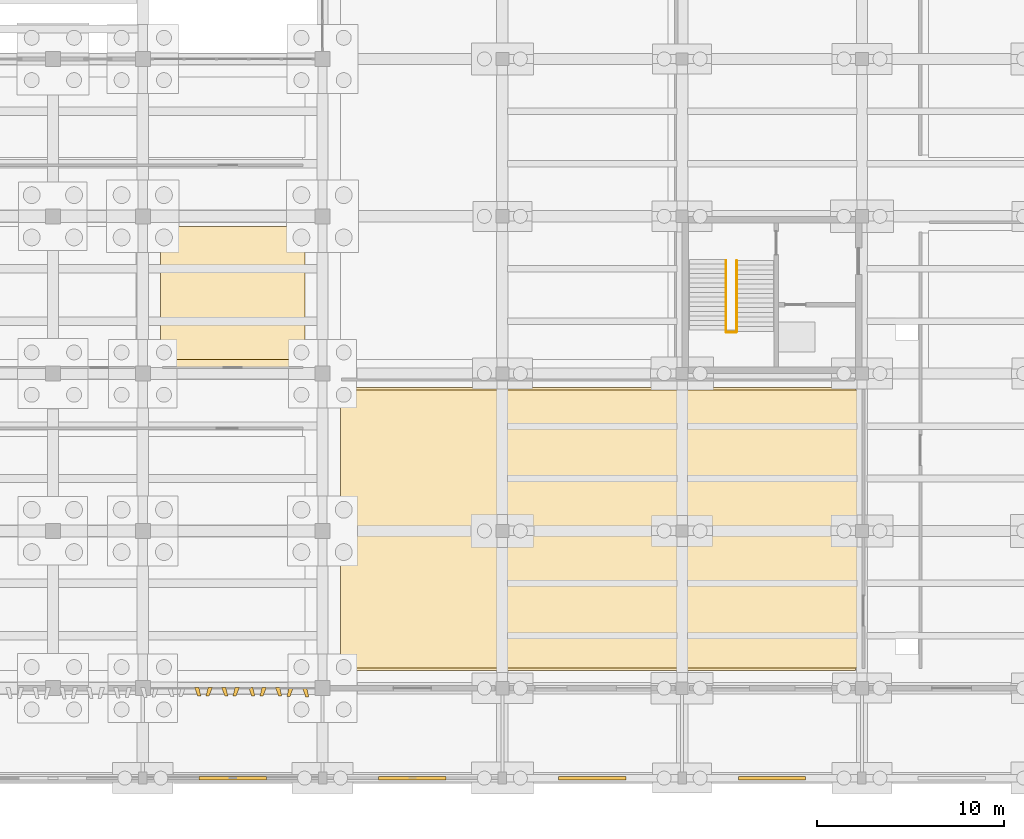
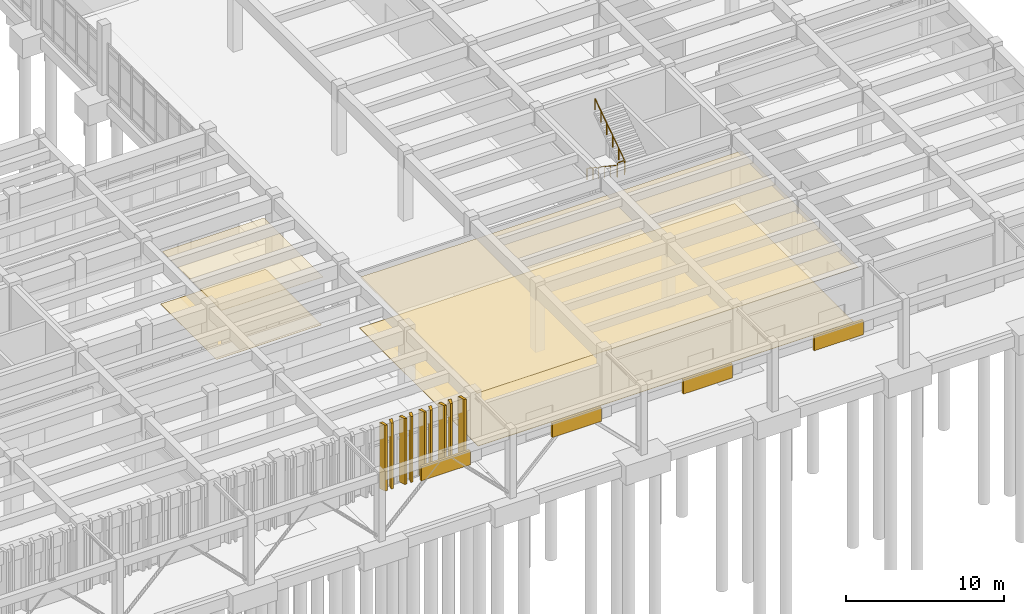
# One storey, part 97 of 102: 13 coverings, 4 shading devices, 3 railings.
"""IFC4 building model written with IfcOpenShell, lengths in metres."""

from ifc_helpers import new_model, si_unit, direction, frame, origin, origin_2d, place, context, subcontext, project, spatial, polyline, rectangle, circle, outline, extrude, material, layer, layer_set, type_object, element, save


model = new_model("IFC4")

# Units and contexts
model_context = context("Model", 3, precision=1e-05, world=origin(), true_north=direction((0.0, 1.0)))
body_context = subcontext(model_context, "Body", "Model", "MODEL_VIEW")
ifc_project = project(units=[si_unit("LENGTHUNIT", "METRE"), si_unit("AREAUNIT", "SQUARE_METRE"), si_unit("VOLUMEUNIT", "CUBIC_METRE"), si_unit("PLANEANGLEUNIT", "RADIAN"), si_unit("MASSUNIT", "GRAM", prefix="KILO")], contexts=[model_context])

# Site, building, storey
site_placement = place(None, origin())
site = spatial("IfcSite", under=ifc_project, at=site_placement, CompositionType="ELEMENT")
building_placement = place(site_placement, origin())
building = spatial("IfcBuilding", under=site, at=building_placement, Name="Kolvemor Railside Polytechnic", CompositionType="ELEMENT")
storey_placement = place(building_placement, origin())
storey = spatial("IfcBuildingStorey", under=building, at=storey_placement, Name="L00", CompositionType="ELEMENT", Elevation=0.0)

# Coverings
ifc_material_1 = material(Name="Perforated acoustic mineral-fibre and timber-slat ceiling", Category="wood")
ifc_layer_1 = layer(ifc_material_1, 0.02490234375, Name="COV-CEIL-1")
ifc_layer_set_1 = layer_set([ifc_layer_1], Name="Perforated acoustic mineral-fibre and timber-slat ceiling")
covering_type_1 = type_object("IfcCoveringType", Name="COV-CEIL-1", PredefinedType="CEILING", material=ifc_layer_set_1)
covering_1_placement = place(storey_placement, frame((0.0, 0.0, 4.014892578125)))
element("IfcCovering", 1, at=covering_1_placement, inside=storey, type_object=covering_type_1, Name="Main Stack Accessible WC L00 Acoustic Ceiling", PredefinedType="CEILING", context=body_context, shape_type="SweptSolid", body=[
    extrude(outline(polyline([(125.8798828125, 21.919921875), (133.320068359375, 21.919921875), (133.320068359375, 29.449951171875), (125.8798828125, 29.449951171875), (125.8798828125, 21.919921875)])), origin(), (0.0, 0.0, 1.0), 0.025146484375),
])
ifc_material_2 = material(Name="Perforated acoustic mineral-fibre and timber-slat ceiling", Category="wood")
ifc_layer_2 = layer(ifc_material_2, 0.034912109375, Name="COV-CEIL-3")
ifc_layer_set_2 = layer_set([ifc_layer_2], Name="Perforated acoustic mineral-fibre and timber-slat ceiling")
covering_type_2 = type_object("IfcCoveringType", Name="COV-CEIL-3", PredefinedType="CEILING", material=ifc_layer_set_2)
covering_2_placement = place(storey_placement, frame((0.0, 0.0, 4.0048828125)))
element("IfcCovering", 2, at=covering_2_placement, inside=storey, type_object=covering_type_2, Name="Student Union Commons Acoustic Ceiling", PredefinedType="CEILING", context=body_context, shape_type="SweptSolid", body=[
    extrude(outline(polyline([(135.35009765625, 5.8798828125), (163.280029296875, 5.8798828125), (163.280029296875, 20.719970703125), (135.35009765625, 20.719970703125), (135.35009765625, 5.8798828125)])), origin(), (0.0, 0.0, 1.0), 0.03515625),
])
ifc_material_3 = material(Name="Champagne-bronze PVDF-anodised marine aluminium 5052-H32", Category="aluminium")
ifc_layer_3 = layer(ifc_material_3, 0.179931640625, Name="COV-FIN-CHAMP")
ifc_layer_set_3 = layer_set([ifc_layer_3], Name="Champagne-bronze PVDF-anodised marine aluminium 5052-H32")
covering_type_3 = type_object("IfcCoveringType", Name="COV-FIN-CHAMP", PredefinedType="CLADDING", material=ifc_layer_set_3)
covering_3_placement = place(storey_placement, frame((0.0, 0.0, 0.02001953125)))
element("IfcCovering", 3, at=covering_3_placement, inside=storey, type_object=covering_type_3, Name="Pleated Solar Fin L00-0708", PredefinedType="CLADDING", context=body_context, shape_type="SweptSolid", body=[
    extrude(outline(polyline([(127.56494140625, 4.8349609375), (127.794921875, 4.8349609375), (127.89990234375, 4.3798828125), (127.739990234375, 4.3798828125), (127.56494140625, 4.8349609375)])), origin(), (0.0, 0.0, 1.0), 5.10009765625),
])
covering_4_placement = place(storey_placement, frame((0.0, 0.0, 0.02001953125)))
element("IfcCovering", 4, at=covering_4_placement, inside=storey, type_object=covering_type_3, Name="Pleated Solar Fin L00-0709", PredefinedType="CLADDING", context=body_context, shape_type="SweptSolid", body=[
    extrude(outline(polyline([(128.284912109375, 4.8349609375), (128.514892578125, 4.8349609375), (128.340087890625, 4.388916015625), (128.179931640625, 4.388916015625), (128.284912109375, 4.8349609375)])), origin(), (0.0, 0.0, 1.0), 5.10009765625),
])
covering_5_placement = place(storey_placement, frame((0.0, 0.0, 0.02001953125)))
element("IfcCovering", 5, at=covering_5_placement, inside=storey, type_object=covering_type_3, Name="Pleated Solar Fin L00-0710", PredefinedType="CLADDING", context=body_context, shape_type="SweptSolid", body=[
    extrude(outline(polyline([(129.0048828125, 4.8349609375), (129.235107421875, 4.8349609375), (129.340087890625, 4.39404296875), (129.179931640625, 4.39404296875), (129.0048828125, 4.8349609375)])), origin(), (0.0, 0.0, 1.0), 5.10009765625),
])
covering_6_placement = place(storey_placement, frame((0.0, 0.0, 0.02001953125)))
element("IfcCovering", 6, at=covering_6_placement, inside=storey, type_object=covering_type_3, Name="Pleated Solar Fin L00-0711", PredefinedType="CLADDING", context=body_context, shape_type="SweptSolid", body=[
    extrude(outline(polyline([(129.72509765625, 4.8349609375), (129.955078125, 4.8349609375), (129.780029296875, 4.39501953125), (129.6201171875, 4.39501953125), (129.72509765625, 4.8349609375)])), origin(), (0.0, 0.0, 1.0), 5.10009765625),
])
covering_7_placement = place(storey_placement, frame((0.0, 0.0, 0.02001953125)))
element("IfcCovering", 7, at=covering_7_placement, inside=storey, type_object=covering_type_3, Name="Pleated Solar Fin L00-0712", PredefinedType="CLADDING", context=body_context, shape_type="SweptSolid", body=[
    extrude(outline(polyline([(130.445068359375, 4.8349609375), (130.675048828125, 4.8349609375), (130.780029296875, 4.39111328125), (130.6201171875, 4.39111328125), (130.445068359375, 4.8349609375)])), origin(), (0.0, 0.0, 1.0), 5.10009765625),
])
covering_8_placement = place(storey_placement, frame((0.0, 0.0, 0.02001953125)))
element("IfcCovering", 8, at=covering_8_placement, inside=storey, type_object=covering_type_3, Name="Pleated Solar Fin L00-0713", PredefinedType="CLADDING", context=body_context, shape_type="SweptSolid", body=[
    extrude(outline(polyline([(131.1650390625, 4.8349609375), (131.39501953125, 4.8349609375), (131.219970703125, 4.383056640625), (131.06005859375, 4.383056640625), (131.1650390625, 4.8349609375)])), origin(), (0.0, 0.0, 1.0), 5.10009765625),
])
covering_9_placement = place(storey_placement, frame((0.0, 0.0, 0.02001953125)))
element("IfcCovering", 9, at=covering_9_placement, inside=storey, type_object=covering_type_3, Name="Pleated Solar Fin L00-0714", PredefinedType="CLADDING", context=body_context, shape_type="SweptSolid", body=[
    extrude(outline(polyline([(131.885009765625, 4.8349609375), (132.114990234375, 4.8349609375), (132.219970703125, 4.3720703125), (132.06005859375, 4.3720703125), (131.885009765625, 4.8349609375)])), origin(), (0.0, 0.0, 1.0), 5.10009765625),
])
covering_10_placement = place(storey_placement, frame((0.0, 0.0, 0.02001953125)))
element("IfcCovering", 10, at=covering_10_placement, inside=storey, type_object=covering_type_3, Name="Pleated Solar Fin L00-0715", PredefinedType="CLADDING", context=body_context, shape_type="SweptSolid", body=[
    extrude(outline(polyline([(132.60498046875, 4.8349609375), (132.8349609375, 4.8349609375), (132.659912109375, 4.35693359375), (132.5, 4.35693359375), (132.60498046875, 4.8349609375)])), origin(), (0.0, 0.0, 1.0), 5.10009765625),
])
covering_11_placement = place(storey_placement, frame((0.0, 0.0, 0.02001953125)))
element("IfcCovering", 11, at=covering_11_placement, inside=storey, type_object=covering_type_3, Name="Pleated Solar Fin L00-0716", PredefinedType="CLADDING", context=body_context, shape_type="SweptSolid", body=[
    extrude(outline(polyline([(133.324951171875, 4.8349609375), (133.554931640625, 4.8349609375), (133.659912109375, 4.340087890625), (133.5, 4.340087890625), (133.324951171875, 4.8349609375)])), origin(), (0.0, 0.0, 1.0), 5.10009765625),
])
ifc_material_4 = material(Name="Polished coral-aggregate terrazzo and laboratory epoxy flooring")
ifc_layer_4 = layer(ifc_material_4, 0.02001953125, Name="COV-FLR-1")
ifc_layer_set_4 = layer_set([ifc_layer_4], Name="Polished coral-aggregate terrazzo and laboratory epoxy flooring")
covering_type_4 = type_object("IfcCoveringType", Name="COV-FLR-1", PredefinedType="FLOORING", material=ifc_layer_set_4)
covering_12_placement = place(storey_placement, origin())
element("IfcCovering", 12, at=covering_12_placement, inside=storey, type_object=covering_type_4, Name="Main Stack Accessible WC L00 Floor Finish", PredefinedType="FLOORING", context=body_context, shape_type="SweptSolid", body=[
    extrude(outline(polyline([(125.75, 22.35009765625), (133.449951171875, 22.35009765625), (133.449951171875, 29.449951171875), (125.75, 29.449951171875), (125.75, 22.35009765625)])), origin(), (0.0, 0.0, 1.0), 0.02001953125),
])
ifc_material_5 = material(Name="Polished coral-aggregate terrazzo and laboratory epoxy flooring")
ifc_layer_5 = layer(ifc_material_5, 0.030029296875, Name="COV-FLR-3")
ifc_layer_set_5 = layer_set([ifc_layer_5], Name="Polished coral-aggregate terrazzo and laboratory epoxy flooring")
covering_type_5 = type_object("IfcCoveringType", Name="COV-FLR-3", PredefinedType="FLOORING", material=ifc_layer_set_5)
covering_13_placement = place(storey_placement, origin())
element("IfcCovering", 13, at=covering_13_placement, inside=storey, type_object=covering_type_5, Name="Student Union Commons Floor Finish", PredefinedType="FLOORING", context=body_context, shape_type="SweptSolid", body=[
    extrude(outline(polyline([(135.35009765625, 5.75), (162.85009765625, 5.75), (162.85009765625, 20.85009765625), (135.35009765625, 20.85009765625), (135.35009765625, 5.75)])), origin(), (0.0, 0.0, 1.0), 0.030029296875),
])

# Railings
ifc_material_6 = material(Name="AISI 316 marine stainless-steel balustrade guard", Category="steel")
railing_type_1 = type_object("IfcRailingType", Name="RLG-GUARD-1120", PredefinedType="BALUSTRADE", material=ifc_material_6)
railing_1_placement = place(storey_placement, frame((155.97998046875, 23.800048828125, 2.699951171875)))
element("IfcRailing", 14, at=railing_1_placement, inside=storey, type_object=railing_type_1, Name="ST-6 Half-Landing Slot Guard L00", PredefinedType="BALUSTRADE", context=body_context, shape_type="SweptSolid", body=[
    extrude(circle(Radius=0.02392578125, at=origin_2d()), frame((0.054931640625, 0.0, 1.09619140625), z_axis=(1.0, 0.0, 0.0), x_axis=(0.0, 1.0, 0.0)), (0.0, 0.0, 1.0), 0.389892578125),
    extrude(circle(Radius=0.02099609375, at=origin_2d()), origin(), (0.0, 0.0, 1.0), 1.05712890625),
    extrude(circle(Radius=0.02099609375, at=origin_2d()), frame((0.5, 0.0, 0.0)), (0.0, 0.0, 1.0), 1.05712890625),
])
ifc_material_7 = material(Name="Brushed AISI 316 stainless-steel stair handrail", Category="steel")
railing_type_2 = type_object("IfcRailingType", Name="RLG-HANDRAIL-920", PredefinedType="HANDRAIL", material=ifc_material_7)
railing_2_placement = place(storey_placement, frame((155.93994140625, 27.6201171875, 0.168701171875)))
element("IfcRailing", 15, at=railing_2_placement, inside=storey, type_object=railing_type_2, Name="ST-6 Flight 1 Handrail L00", PredefinedType="HANDRAIL", context=body_context, shape_type="SweptSolid", body=[
    extrude(circle(Radius=0.02392578125, at=origin_2d()), frame((0.0, -0.045654296875, 0.926513671875), z_axis=(0.0, -0.830909170722, 0.55640807867), x_axis=(1.0, 0.0, 0.0)), (0.0, 0.0, 1.0), 4.439208984375),
    extrude(circle(Radius=0.02099609375, at=origin_2d()), origin(), (0.0, 0.0, 1.0), 0.85693359375),
    extrude(circle(Radius=0.02099609375, at=origin_2d()), frame((0.0, -0.756103515625, 0.50634765625)), (0.0, 0.0, 1.0), 0.85693359375),
    extrude(circle(Radius=0.02099609375, at=origin_2d()), frame((0.0, -1.511962890625, 1.012451171875)), (0.0, 0.0, 1.0), 0.85693359375),
    extrude(circle(Radius=0.02099609375, at=origin_2d()), frame((0.0, -2.26806640625, 1.518798828125)), (0.0, 0.0, 1.0), 0.85693359375),
    extrude(circle(Radius=0.02099609375, at=origin_2d()), frame((0.0, -3.02392578125, 2.02490234375)), (0.0, 0.0, 1.0), 0.85693359375),
    extrude(circle(Radius=0.02099609375, at=origin_2d()), frame((0.0, -3.780029296875, 2.53125)), (0.0, 0.0, 1.0), 0.85693359375),
])
railing_3_placement = place(storey_placement, frame((156.52001953125, 23.840087890625, 2.86865234375)))
element("IfcRailing", 16, at=railing_3_placement, inside=storey, type_object=railing_type_2, Name="ST-6 Flight 2 Handrail L00", PredefinedType="HANDRAIL", context=body_context, shape_type="SweptSolid", body=[
    extrude(circle(Radius=0.02392578125, at=origin_2d()), frame((0.0, 0.045654296875, 0.926513671875), z_axis=(0.0, 0.830909170722, 0.55640807867), x_axis=(-1.0, 0.0, 0.0)), (0.0, 0.0, 1.0), 4.439208984375),
    extrude(circle(Radius=0.02099609375, at=origin_2d()), origin(), (0.0, 0.0, 1.0), 0.85693359375),
    extrude(circle(Radius=0.02099609375, at=origin_2d()), frame((0.0, 0.756103515625, 0.50634765625)), (0.0, 0.0, 1.0), 0.85693359375),
    extrude(circle(Radius=0.02099609375, at=origin_2d()), frame((0.0, 1.511962890625, 1.012451171875)), (0.0, 0.0, 1.0), 0.85693359375),
    extrude(circle(Radius=0.02099609375, at=origin_2d()), frame((0.0, 2.26806640625, 1.518798828125)), (0.0, 0.0, 1.0), 0.85693359375),
    extrude(circle(Radius=0.02099609375, at=origin_2d()), frame((0.0, 3.02392578125, 2.02490234375)), (0.0, 0.0, 1.0), 0.85693359375),
    extrude(circle(Radius=0.02099609375, at=origin_2d()), frame((0.0, 3.780029296875, 2.53125)), (0.0, 0.0, 1.0), 0.85693359375),
])

# Shading devices
ifc_material_8 = material(Name="Champagne-bronze PVDF-anodised hurricane storm louvre")
shading_device_type = type_object("IfcShadingDeviceType", Name="SHD-LOUVRE-STORM", PredefinedType="JALOUSIE", material=ifc_material_8)
for number, where, z_axis, x_axis, name in (
    (17, (129.60009765625, 0.0, 3.5), (0.0, 0.0, 1.0), (1.0, 0.0, 0.0), "Hurricane Storm Louvre SLV-11"),
    (18, (139.199951171875, 0.0, 3.5), (0.0, 0.0, 1.0), (1.0, 0.0, 0.0), "Hurricane Storm Louvre SLV-12"),
    (19, (148.800048828125, 0.0, 3.5), (0.0, 0.0, 1.0), (1.0, 0.0, 0.0), "Hurricane Storm Louvre SLV-13"),
    (20, (158.39990234375, 0.0, 3.5), (0.0, 0.0, 1.0), (1.0, 0.0, 0.0), "Hurricane Storm Louvre SLV-14"),
):
    element("IfcShadingDevice", number, at=place(storey_placement, frame(where, z_axis=z_axis, x_axis=x_axis)), inside=storey, type_object=shading_device_type, Name=name, PredefinedType="JALOUSIE", context=body_context, shape_type="SweptSolid", body=[
        extrude(rectangle(XDim=3.60009765625, YDim=0.179931640625, at=origin_2d()), origin(), (0.0, 0.0, 1.0), 1.10009765625),
    ])

save(model, "model.ifc")
